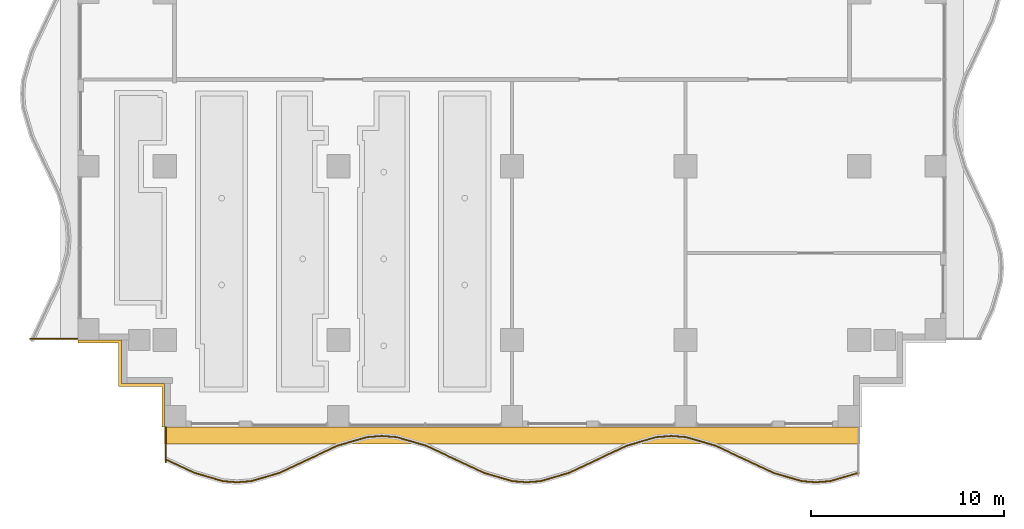
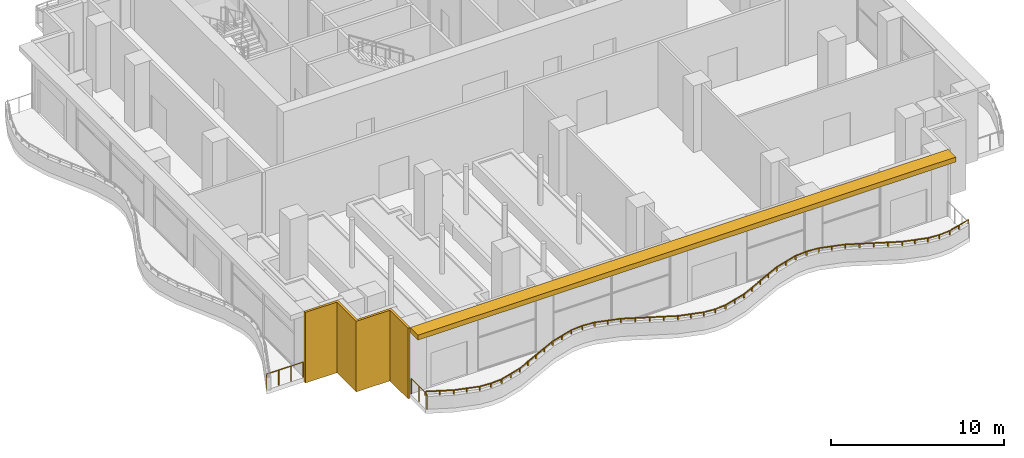
# One storey, part 12 of 16: 3 railings, 2 shading devices.
"""IFC4 building model written with IfcOpenShell, lengths in metres."""

from ifc_helpers import new_model, si_unit, direction, frame, origin, origin_2d, place, context, subcontext, project, spatial, polyline, rectangle, outline, extrude, material, layer, layer_set, type_object, element, save


model = new_model("IFC4")

# Units and contexts
model_context = context("Model", 3, precision=1e-05, world=origin(), true_north=direction((0.0, 1.0)))
body_context = subcontext(model_context, "Body", "Model", "MODEL_VIEW")
ifc_project = project(units=[si_unit("LENGTHUNIT", "METRE"), si_unit("AREAUNIT", "SQUARE_METRE"), si_unit("VOLUMEUNIT", "CUBIC_METRE"), si_unit("PLANEANGLEUNIT", "RADIAN"), si_unit("MASSUNIT", "GRAM", prefix="KILO")], contexts=[model_context])

# Site, building, storey
site_placement = place(None, origin())
site = spatial("IfcSite", under=ifc_project, at=site_placement, CompositionType="ELEMENT")
building_placement = place(site_placement, origin())
building = spatial("IfcBuilding", under=site, at=building_placement, Name="Orbiselva Terraces", CompositionType="ELEMENT")
storey_placement = place(building_placement, frame((0.0, 0.0, 174.4)))
storey = spatial("IfcBuildingStorey", under=building, at=storey_placement, Name="L44", CompositionType="ELEMENT", Elevation=174.4)

# Railings
ifc_material_1 = material(Name="Bonded two-ply safety glass balustrade, stainless steel posts", Category="steel")
railing_type_1 = type_object("IfcRailingType", Name="ENV-BALUSTRADE-1200", PredefinedType="BALUSTRADE", material=ifc_material_1)
railing_1_placement = place(storey_placement, frame((-17.946809, -19.686882, 0.9)))
element("IfcRailing", 1, at=railing_1_placement, inside=storey, type_object=railing_type_1, Name="Balcony balustrade L44 S", PredefinedType="BALUSTRADE", context=body_context, shape_type="SweptSolid", body=[
    extrude(outline(polyline([(0.028868, 0.0), (0.014434, 0.025), (-0.014434, 0.025), (-0.028868, 0.0), (-0.014434, -0.025), (0.014434, -0.025), (0.028868, 0.0)])), frame((0.0, 0.0, 0.275), z_axis=(0.904944359461, -0.425529912322, 0.0), x_axis=(0.425529912322, 0.904944359461, 0.0)), (0.0, 0.0, 1.0), 1.647746),
    extrude(outline(polyline([(0.028868, 0.0), (0.014434, 0.025), (-0.014434, 0.025), (-0.028868, 0.0), (-0.014434, -0.025), (0.014434, -0.025), (0.028868, 0.0)])), frame((1.491118, -0.701165, 0.275), z_axis=(0.960270317007, -0.279071528957, 0.0), x_axis=(0.279071528957, 0.960270317007, 0.0)), (0.0, 0.0, 1.0), 1.539408),
    extrude(outline(polyline([(0.028868, 0.0), (0.014434, 0.025), (-0.014434, 0.025), (-0.028868, 0.0), (-0.014434, -0.025), (0.014434, -0.025), (0.028868, 0.0)])), frame((2.969366, -1.13077, 0.275), z_axis=(0.996947916106, -0.078069536776, 0.0), x_axis=(0.078069536776, 0.996947916106, 0.0)), (0.0, 0.0, 1.0), 0.72967),
    extrude(outline(polyline([(0.028868, 0.0), (0.014434, 0.025), (-0.014434, 0.025), (-0.028868, 0.0), (-0.014434, -0.025), (0.014434, -0.025), (0.028868, 0.0)])), frame((3.696809, -1.187735, 0.275), z_axis=(0.996947916106, 0.078069536776, 0.0), x_axis=(-0.078069536776, 0.996947916106, 0.0)), (0.0, 0.0, 1.0), 0.72967),
    extrude(outline(polyline([(0.028868, 0.0), (0.014434, 0.025), (-0.014434, 0.025), (-0.028868, 0.0), (-0.014434, -0.025), (0.014434, -0.025), (0.028868, 0.0)])), frame((4.424252, -1.13077, 0.275), z_axis=(0.960270317007, 0.279071528957, 0.0), x_axis=(-0.279071528957, 0.960270317007, 0.0)), (0.0, 0.0, 1.0), 1.539408),
    extrude(outline(polyline([(0.028868, 0.0), (0.014434, 0.025), (-0.014434, 0.025), (-0.028868, 0.0), (-0.014434, -0.025), (0.014434, -0.025), (0.028868, 0.0)])), frame((5.9025, -0.701165, 0.275), z_axis=(0.904944359461, 0.425529912322, 0.0), x_axis=(-0.425529912322, 0.904944359461, 0.0)), (0.0, 0.0, 1.0), 1.647746),
    extrude(outline(polyline([(0.028868, 0.0), (0.014434, 0.025), (-0.014434, 0.025), (-0.028868, 0.0), (-0.014434, -0.025), (0.014434, -0.025), (0.028868, 0.0)])), frame((7.393618, 0.0, 0.275), z_axis=(0.904944157382, 0.425530342069, 0.0), x_axis=(-0.425530342069, 0.904944157382, 0.0)), (0.0, 0.0, 1.0), 1.667376),
    extrude(outline(polyline([(0.028868, 0.0), (0.014434, 0.025), (-0.014434, 0.025), (-0.028868, 0.0), (-0.014434, -0.025), (0.014434, -0.025), (0.028868, 0.0)])), frame((8.9025, 0.709519, 0.275), z_axis=(0.960270491427, 0.279070928786, 0.0), x_axis=(-0.279070928786, 0.960270491427, 0.0)), (0.0, 0.0, 1.0), 1.584712),
    extrude(outline(polyline([(0.028868, 0.0), (0.014434, 0.025), (-0.014434, 0.025), (-0.028868, 0.0), (-0.014434, -0.025), (0.014434, -0.025), (0.028868, 0.0)])), frame((10.424252, 1.151766, 0.275), z_axis=(0.996947796737, 0.078071061106, 0.0), x_axis=(-0.078071061106, 0.996947796737, 0.0)), (0.0, 0.0, 1.0), 0.774922),
    extrude(outline(polyline([(0.028868, 0.0), (0.014434, 0.025), (-0.014434, 0.025), (-0.028868, 0.0), (-0.014434, -0.025), (0.014434, -0.025), (0.028868, 0.0)])), frame((11.196809, 1.212265, 0.275), z_axis=(0.996947796737, -0.078071061106, 0.0), x_axis=(0.078071061106, 0.996947796737, 0.0)), (0.0, 0.0, 1.0), 0.774922),
    extrude(outline(polyline([(0.028868, 0.0), (0.014434, 0.025), (-0.014434, 0.025), (-0.028868, 0.0), (-0.014434, -0.025), (0.014434, -0.025), (0.028868, 0.0)])), frame((11.969366, 1.151766, 0.275), z_axis=(0.960270491427, -0.279070928786, 0.0), x_axis=(0.279070928786, 0.960270491427, 0.0)), (0.0, 0.0, 1.0), 1.584712),
    extrude(outline(polyline([(0.028868, 0.0), (0.014434, 0.025), (-0.014434, 0.025), (-0.028868, 0.0), (-0.014434, -0.025), (0.014434, -0.025), (0.028868, 0.0)])), frame((13.491118, 0.709519, 0.275), z_axis=(0.904944157382, -0.425530342069, 0.0), x_axis=(0.425530342069, 0.904944157382, 0.0)), (0.0, 0.0, 1.0), 1.667376),
    extrude(outline(polyline([(0.028868, 0.0), (0.014434, 0.025), (-0.014434, 0.025), (-0.028868, 0.0), (-0.014434, -0.025), (0.014434, -0.025), (0.028868, 0.0)])), frame((15.0, 0.0, 0.275), z_axis=(0.904944359461, -0.425529912322, 0.0), x_axis=(0.425529912322, 0.904944359461, 0.0)), (0.0, 0.0, 1.0), 1.647746),
    extrude(outline(polyline([(0.028868, 0.0), (0.014434, 0.025), (-0.014434, 0.025), (-0.028868, 0.0), (-0.014434, -0.025), (0.014434, -0.025), (0.028868, 0.0)])), frame((16.491118, -0.701165, 0.275), z_axis=(0.960270317007, -0.279071528957, 0.0), x_axis=(0.279071528957, 0.960270317007, 0.0)), (0.0, 0.0, 1.0), 1.539408),
    extrude(outline(polyline([(0.028868, 0.0), (0.014434, 0.025), (-0.014434, 0.025), (-0.028868, 0.0), (-0.014434, -0.025), (0.014434, -0.025), (0.028868, 0.0)])), frame((17.969366, -1.13077, 0.275), z_axis=(0.996947916106, -0.078069536776, 0.0), x_axis=(0.078069536776, 0.996947916106, 0.0)), (0.0, 0.0, 1.0), 0.72967),
    extrude(outline(polyline([(0.028868, 0.0), (0.014434, 0.025), (-0.014434, 0.025), (-0.028868, 0.0), (-0.014434, -0.025), (0.014434, -0.025), (0.028868, 0.0)])), frame((18.696809, -1.187735, 0.275), z_axis=(0.996947916106, 0.078069536776, 0.0), x_axis=(-0.078069536776, 0.996947916106, 0.0)), (0.0, 0.0, 1.0), 0.72967),
    extrude(outline(polyline([(0.028868, 0.0), (0.014434, 0.025), (-0.014434, 0.025), (-0.028868, 0.0), (-0.014434, -0.025), (0.014434, -0.025), (0.028868, 0.0)])), frame((19.424252, -1.13077, 0.275), z_axis=(0.960270317007, 0.279071528957, 0.0), x_axis=(-0.279071528957, 0.960270317007, 0.0)), (0.0, 0.0, 1.0), 1.539408),
    extrude(outline(polyline([(0.028868, 0.0), (0.014434, 0.025), (-0.014434, 0.025), (-0.028868, 0.0), (-0.014434, -0.025), (0.014434, -0.025), (0.028868, 0.0)])), frame((20.9025, -0.701165, 0.275), z_axis=(0.904944359461, 0.425529912322, 0.0), x_axis=(-0.425529912322, 0.904944359461, 0.0)), (0.0, 0.0, 1.0), 1.647746),
    extrude(outline(polyline([(0.028868, 0.0), (0.014434, 0.025), (-0.014434, 0.025), (-0.028868, 0.0), (-0.014434, -0.025), (0.014434, -0.025), (0.028868, 0.0)])), frame((22.393618, 0.0, 0.275), z_axis=(0.904944157382, 0.425530342069, 0.0), x_axis=(-0.425530342069, 0.904944157382, 0.0)), (0.0, 0.0, 1.0), 1.667376),
    extrude(outline(polyline([(0.028868, 0.0), (0.014434, 0.025), (-0.014434, 0.025), (-0.028868, 0.0), (-0.014434, -0.025), (0.014434, -0.025), (0.028868, 0.0)])), frame((23.9025, 0.709519, 0.275), z_axis=(0.960270491427, 0.279070928786, 0.0), x_axis=(-0.279070928786, 0.960270491427, 0.0)), (0.0, 0.0, 1.0), 1.584712),
    extrude(outline(polyline([(0.028868, 0.0), (0.014434, 0.025), (-0.014434, 0.025), (-0.028868, 0.0), (-0.014434, -0.025), (0.014434, -0.025), (0.028868, 0.0)])), frame((25.424252, 1.151766, 0.275), z_axis=(0.996947796737, 0.078071061106, 0.0), x_axis=(-0.078071061106, 0.996947796737, 0.0)), (0.0, 0.0, 1.0), 0.774922),
    extrude(outline(polyline([(0.028868, 0.0), (0.014434, 0.025), (-0.014434, 0.025), (-0.028868, 0.0), (-0.014434, -0.025), (0.014434, -0.025), (0.028868, 0.0)])), frame((26.196809, 1.212265, 0.275), z_axis=(0.996947796737, -0.078071061106, 0.0), x_axis=(0.078071061106, 0.996947796737, 0.0)), (0.0, 0.0, 1.0), 0.774922),
    extrude(outline(polyline([(0.028868, 0.0), (0.014434, 0.025), (-0.014434, 0.025), (-0.028868, 0.0), (-0.014434, -0.025), (0.014434, -0.025), (0.028868, 0.0)])), frame((26.969366, 1.151766, 0.275), z_axis=(0.960270491427, -0.279070928786, 0.0), x_axis=(0.279070928786, 0.960270491427, 0.0)), (0.0, 0.0, 1.0), 1.584712),
    extrude(outline(polyline([(0.028868, 0.0), (0.014434, 0.025), (-0.014434, 0.025), (-0.028868, 0.0), (-0.014434, -0.025), (0.014434, -0.025), (0.028868, 0.0)])), frame((28.491118, 0.709519, 0.275), z_axis=(0.904944157382, -0.425530342069, 0.0), x_axis=(0.425530342069, 0.904944157382, 0.0)), (0.0, 0.0, 1.0), 1.667376),
    extrude(outline(polyline([(0.028868, 0.0), (0.014434, 0.025), (-0.014434, 0.025), (-0.028868, 0.0), (-0.014434, -0.025), (0.014434, -0.025), (0.028868, 0.0)])), frame((30.0, 0.0, 0.275), z_axis=(0.904944359461, -0.425529912322, 0.0), x_axis=(0.425529912322, 0.904944359461, 0.0)), (0.0, 0.0, 1.0), 1.647746),
    extrude(outline(polyline([(0.028868, 0.0), (0.014434, 0.025), (-0.014434, 0.025), (-0.028868, 0.0), (-0.014434, -0.025), (0.014434, -0.025), (0.028868, 0.0)])), frame((31.491118, -0.701165, 0.275), z_axis=(0.960270317007, -0.279071528957, 0.0), x_axis=(0.279071528957, 0.960270317007, 0.0)), (0.0, 0.0, 1.0), 1.539408),
    extrude(outline(polyline([(0.028868, 0.0), (0.014434, 0.025), (-0.014434, 0.025), (-0.028868, 0.0), (-0.014434, -0.025), (0.014434, -0.025), (0.028868, 0.0)])), frame((32.969366, -1.13077, 0.275), z_axis=(0.996947916106, -0.078069536776, 0.0), x_axis=(0.078069536776, 0.996947916106, 0.0)), (0.0, 0.0, 1.0), 0.72967),
    extrude(outline(polyline([(0.028868, 0.0), (0.014434, 0.025), (-0.014434, 0.025), (-0.028868, 0.0), (-0.014434, -0.025), (0.014434, -0.025), (0.028868, 0.0)])), frame((33.696809, -1.187735, 0.275), z_axis=(0.996947916106, 0.078069536776, 0.0), x_axis=(-0.078069536776, 0.996947916106, 0.0)), (0.0, 0.0, 1.0), 0.72967),
    extrude(outline(polyline([(0.028868, 0.0), (0.014434, 0.025), (-0.014434, 0.025), (-0.028868, 0.0), (-0.014434, -0.025), (0.014434, -0.025), (0.028868, 0.0)])), frame((34.424252, -1.13077, 0.275), z_axis=(0.960270329394, 0.279071486336, 0.0), x_axis=(-0.279071486336, 0.960270329394, 0.0)), (0.0, 0.0, 1.0), 1.549223),
    extrude(rectangle(XDim=0.05, YDim=0.05, at=origin_2d()), origin(), (0.0, 0.0, 1.0), 0.25),
    extrude(rectangle(XDim=0.05, YDim=0.05, at=origin_2d()), frame((0.745559, -0.350582, 0.0)), (0.0, 0.0, 1.0), 0.25),
    extrude(rectangle(XDim=0.05, YDim=0.05, at=origin_2d()), frame((1.491118, -0.701165, 0.0)), (0.0, 0.0, 1.0), 0.25),
    extrude(rectangle(XDim=0.05, YDim=0.05, at=origin_2d()), frame((2.230242, -0.915967, 0.0)), (0.0, 0.0, 1.0), 0.25),
    extrude(rectangle(XDim=0.05, YDim=0.05, at=origin_2d()), frame((2.969366, -1.13077, 0.0)), (0.0, 0.0, 1.0), 0.25),
    extrude(rectangle(XDim=0.05, YDim=0.05, at=origin_2d()), frame((3.696809, -1.187735, 0.0)), (0.0, 0.0, 1.0), 0.25),
    extrude(rectangle(XDim=0.05, YDim=0.05, at=origin_2d()), frame((4.424252, -1.13077, 0.0)), (0.0, 0.0, 1.0), 0.25),
    extrude(rectangle(XDim=0.05, YDim=0.05, at=origin_2d()), frame((5.163376, -0.915967, 0.0)), (0.0, 0.0, 1.0), 0.25),
    extrude(rectangle(XDim=0.05, YDim=0.05, at=origin_2d()), frame((5.9025, -0.701165, 0.0)), (0.0, 0.0, 1.0), 0.25),
    extrude(rectangle(XDim=0.05, YDim=0.05, at=origin_2d()), frame((6.648059, -0.350582, 0.0)), (0.0, 0.0, 1.0), 0.25),
    extrude(rectangle(XDim=0.05, YDim=0.05, at=origin_2d()), frame((7.393618, 0.0, 0.0)), (0.0, 0.0, 1.0), 0.25),
    extrude(rectangle(XDim=0.05, YDim=0.05, at=origin_2d()), frame((8.148059, 0.35476, 0.0)), (0.0, 0.0, 1.0), 0.25),
    extrude(rectangle(XDim=0.05, YDim=0.05, at=origin_2d()), frame((8.9025, 0.709519, 0.0)), (0.0, 0.0, 1.0), 0.25),
    extrude(rectangle(XDim=0.05, YDim=0.05, at=origin_2d()), frame((9.663376, 0.930643, 0.0)), (0.0, 0.0, 1.0), 0.25),
    extrude(rectangle(XDim=0.05, YDim=0.05, at=origin_2d()), frame((10.424252, 1.151766, 0.0)), (0.0, 0.0, 1.0), 0.25),
    extrude(rectangle(XDim=0.05, YDim=0.05, at=origin_2d()), frame((11.196809, 1.212265, 0.0)), (0.0, 0.0, 1.0), 0.25),
    extrude(rectangle(XDim=0.05, YDim=0.05, at=origin_2d()), frame((11.969366, 1.151766, 0.0)), (0.0, 0.0, 1.0), 0.25),
    extrude(rectangle(XDim=0.05, YDim=0.05, at=origin_2d()), frame((12.730242, 0.930643, 0.0)), (0.0, 0.0, 1.0), 0.25),
    extrude(rectangle(XDim=0.05, YDim=0.05, at=origin_2d()), frame((13.491118, 0.709519, 0.0)), (0.0, 0.0, 1.0), 0.25),
    extrude(rectangle(XDim=0.05, YDim=0.05, at=origin_2d()), frame((14.245559, 0.35476, 0.0)), (0.0, 0.0, 1.0), 0.25),
    extrude(rectangle(XDim=0.05, YDim=0.05, at=origin_2d()), frame((15.0, 0.0, 0.0)), (0.0, 0.0, 1.0), 0.25),
    extrude(rectangle(XDim=0.05, YDim=0.05, at=origin_2d()), frame((15.745559, -0.350582, 0.0)), (0.0, 0.0, 1.0), 0.25),
    extrude(rectangle(XDim=0.05, YDim=0.05, at=origin_2d()), frame((16.491118, -0.701165, 0.0)), (0.0, 0.0, 1.0), 0.25),
    extrude(rectangle(XDim=0.05, YDim=0.05, at=origin_2d()), frame((17.230242, -0.915967, 0.0)), (0.0, 0.0, 1.0), 0.25),
    extrude(rectangle(XDim=0.05, YDim=0.05, at=origin_2d()), frame((17.969366, -1.13077, 0.0)), (0.0, 0.0, 1.0), 0.25),
    extrude(rectangle(XDim=0.05, YDim=0.05, at=origin_2d()), frame((18.696809, -1.187735, 0.0)), (0.0, 0.0, 1.0), 0.25),
    extrude(rectangle(XDim=0.05, YDim=0.05, at=origin_2d()), frame((19.424252, -1.13077, 0.0)), (0.0, 0.0, 1.0), 0.25),
    extrude(rectangle(XDim=0.05, YDim=0.05, at=origin_2d()), frame((20.163376, -0.915967, 0.0)), (0.0, 0.0, 1.0), 0.25),
    extrude(rectangle(XDim=0.05, YDim=0.05, at=origin_2d()), frame((20.9025, -0.701165, 0.0)), (0.0, 0.0, 1.0), 0.25),
    extrude(rectangle(XDim=0.05, YDim=0.05, at=origin_2d()), frame((21.648059, -0.350582, 0.0)), (0.0, 0.0, 1.0), 0.25),
    extrude(rectangle(XDim=0.05, YDim=0.05, at=origin_2d()), frame((22.393618, 0.0, 0.0)), (0.0, 0.0, 1.0), 0.25),
    extrude(rectangle(XDim=0.05, YDim=0.05, at=origin_2d()), frame((23.148059, 0.35476, 0.0)), (0.0, 0.0, 1.0), 0.25),
    extrude(rectangle(XDim=0.05, YDim=0.05, at=origin_2d()), frame((23.9025, 0.709519, 0.0)), (0.0, 0.0, 1.0), 0.25),
    extrude(rectangle(XDim=0.05, YDim=0.05, at=origin_2d()), frame((24.663376, 0.930643, 0.0)), (0.0, 0.0, 1.0), 0.25),
    extrude(rectangle(XDim=0.05, YDim=0.05, at=origin_2d()), frame((25.424252, 1.151766, 0.0)), (0.0, 0.0, 1.0), 0.25),
    extrude(rectangle(XDim=0.05, YDim=0.05, at=origin_2d()), frame((26.196809, 1.212265, 0.0)), (0.0, 0.0, 1.0), 0.25),
    extrude(rectangle(XDim=0.05, YDim=0.05, at=origin_2d()), frame((26.969366, 1.151766, 0.0)), (0.0, 0.0, 1.0), 0.25),
    extrude(rectangle(XDim=0.05, YDim=0.05, at=origin_2d()), frame((27.730242, 0.930643, 0.0)), (0.0, 0.0, 1.0), 0.25),
    extrude(rectangle(XDim=0.05, YDim=0.05, at=origin_2d()), frame((28.491118, 0.709519, 0.0)), (0.0, 0.0, 1.0), 0.25),
    extrude(rectangle(XDim=0.05, YDim=0.05, at=origin_2d()), frame((29.245559, 0.35476, 0.0)), (0.0, 0.0, 1.0), 0.25),
    extrude(rectangle(XDim=0.05, YDim=0.05, at=origin_2d()), frame((30.0, 0.0, 0.0)), (0.0, 0.0, 1.0), 0.25),
    extrude(rectangle(XDim=0.05, YDim=0.05, at=origin_2d()), frame((30.745559, -0.350582, 0.0)), (0.0, 0.0, 1.0), 0.25),
    extrude(rectangle(XDim=0.05, YDim=0.05, at=origin_2d()), frame((31.491118, -0.701165, 0.0)), (0.0, 0.0, 1.0), 0.25),
    extrude(rectangle(XDim=0.05, YDim=0.05, at=origin_2d()), frame((32.230242, -0.915967, 0.0)), (0.0, 0.0, 1.0), 0.25),
    extrude(rectangle(XDim=0.05, YDim=0.05, at=origin_2d()), frame((32.969366, -1.13077, 0.0)), (0.0, 0.0, 1.0), 0.25),
    extrude(rectangle(XDim=0.05, YDim=0.05, at=origin_2d()), frame((33.696809, -1.187735, 0.0)), (0.0, 0.0, 1.0), 0.25),
    extrude(rectangle(XDim=0.05, YDim=0.05, at=origin_2d()), frame((34.424252, -1.13077, 0.0)), (0.0, 0.0, 1.0), 0.25),
    extrude(rectangle(XDim=0.05, YDim=0.05, at=origin_2d()), frame((35.168088, -0.914598, 0.0)), (0.0, 0.0, 1.0), 0.25),
    extrude(rectangle(XDim=0.05, YDim=0.05, at=origin_2d()), frame((35.911925, -0.698426, 0.0)), (0.0, 0.0, 1.0), 0.25),
])
ifc_material_2 = material(Name="Stainless steel rail and posts", Category="steel")
railing_type_2 = type_object("IfcRailingType", Name="ENV-GUARD-1105", PredefinedType="BALUSTRADE", material=ifc_material_2)
railing_2_placement = place(storey_placement, frame((-17.94, -19.830156, 0.0)))
element("IfcRailing", 2, at=railing_2_placement, inside=storey, type_object=railing_type_2, Name="Balcony end guard L44 S", PredefinedType="BALUSTRADE", context=body_context, shape_type="SweptSolid", body=[
    extrude(outline(polyline([(0.028868, 0.0), (0.014434, 0.025), (-0.014434, 0.025), (-0.028868, 0.0), (-0.014434, -0.025), (0.014434, -0.025), (0.028868, 0.0)])), frame((0.0, 0.0, 1.08), z_axis=(0.0, 1.0, 0.0), x_axis=(-1.0, 0.0, 0.0)), (0.0, 0.0, 1.0), 1.805156),
    extrude(rectangle(XDim=0.05, YDim=0.05, at=origin_2d()), origin(), (0.0, 0.0, 1.0), 1.055),
    extrude(rectangle(XDim=0.05, YDim=0.05, at=origin_2d()), frame((0.0, 0.902578, 0.0)), (0.0, 0.0, 1.0), 1.055),
    extrude(rectangle(XDim=0.05, YDim=0.05, at=origin_2d()), frame((0.0, 1.805156, 0.0)), (0.0, 0.0, 1.0), 1.055),
])
railing_3_placement = place(storey_placement, frame((-24.980723, -13.44, 0.0)))
element("IfcRailing", 3, at=railing_3_placement, inside=storey, type_object=railing_type_2, Name="Balcony end guard L44 W", PredefinedType="BALUSTRADE", context=body_context, shape_type="SweptSolid", body=[
    extrude(outline(polyline([(0.028868, 0.0), (0.014434, 0.025), (-0.014434, 0.025), (-0.028868, 0.0), (-0.014434, -0.025), (0.014434, -0.025), (0.028868, 0.0)])), frame((0.0, 0.0, 1.08), z_axis=(1.0, 0.0, 0.0), x_axis=(0.0, 1.0, 0.0)), (0.0, 0.0, 1.0), 2.455723),
    extrude(rectangle(XDim=0.05, YDim=0.05, at=origin_2d()), origin(), (0.0, 0.0, 1.0), 1.055),
    extrude(rectangle(XDim=0.05, YDim=0.05, at=origin_2d()), frame((0.818574, 0.0, 0.0)), (0.0, 0.0, 1.0), 1.055),
    extrude(rectangle(XDim=0.05, YDim=0.05, at=origin_2d()), frame((1.637149, 0.0, 0.0)), (0.0, 0.0, 1.0), 1.055),
    extrude(rectangle(XDim=0.05, YDim=0.05, at=origin_2d()), frame((2.455723, 0.0, 0.0)), (0.0, 0.0, 1.0), 1.055),
])

# Shading devices
ifc_material_3 = material(Name="Terracotta louvre screen", Category="masonry")
ifc_layer_1 = layer(ifc_material_3, 0.15)
ifc_layer_set_1 = layer_set([ifc_layer_1], Name="Terracotta louvre screen")
shading_device_type_1 = type_object("IfcShadingDeviceType", Name="ENV-SCREEN-150", PredefinedType="USERDEFINED", material=ifc_layer_set_1)
shading_device_1_placement = place(storey_placement, frame((0.0, 0.0, -0.3)))
element("IfcShadingDevice", 4, at=shading_device_1_placement, inside=storey, type_object=shading_device_type_1, Name="Louvre screen L44 SW", ObjectType="SCREEN", PredefinedType="USERDEFINED", context=body_context, shape_type="SweptSolid", body=[
    extrude(outline(polyline([(-22.5, -13.65), (-20.4, -13.65), (-20.4, -15.9), (-18.15, -15.9), (-18.15, -18.0), (-18.0, -18.0), (-18.0, -15.75), (-20.25, -15.75), (-20.25, -13.5), (-22.5, -13.5), (-22.5, -13.65)])), origin(), (0.0, 0.0, 1.0), 5.0),
])
ifc_material_4 = material(Name="Terracotta baguette sunshade", Category="masonry")
ifc_layer_2 = layer(ifc_material_4, 0.35)
ifc_layer_set_2 = layer_set([ifc_layer_2], Name="Terracotta baguette sunshade")
shading_device_type_2 = type_object("IfcShadingDeviceType", Name="ENV-SUNSHADE-900x350", PredefinedType="USERDEFINED", material=ifc_layer_set_2)
shading_device_2_placement = place(storey_placement, frame((0.0, 0.0, 4.35)))
element("IfcShadingDevice", 5, at=shading_device_2_placement, inside=storey, type_object=shading_device_type_2, Name="Sunshade band L44 S", ObjectType="SUNSHADE", PredefinedType="USERDEFINED", context=body_context, shape_type="SweptSolid", body=[
    extrude(outline(polyline([(-18.0, -18.9), (18.0, -18.9), (18.0, -18.0), (-18.0, -18.0), (-18.0, -18.9)])), origin(), (0.0, 0.0, 1.0), 0.35),
])

save(model, "model.ifc")
